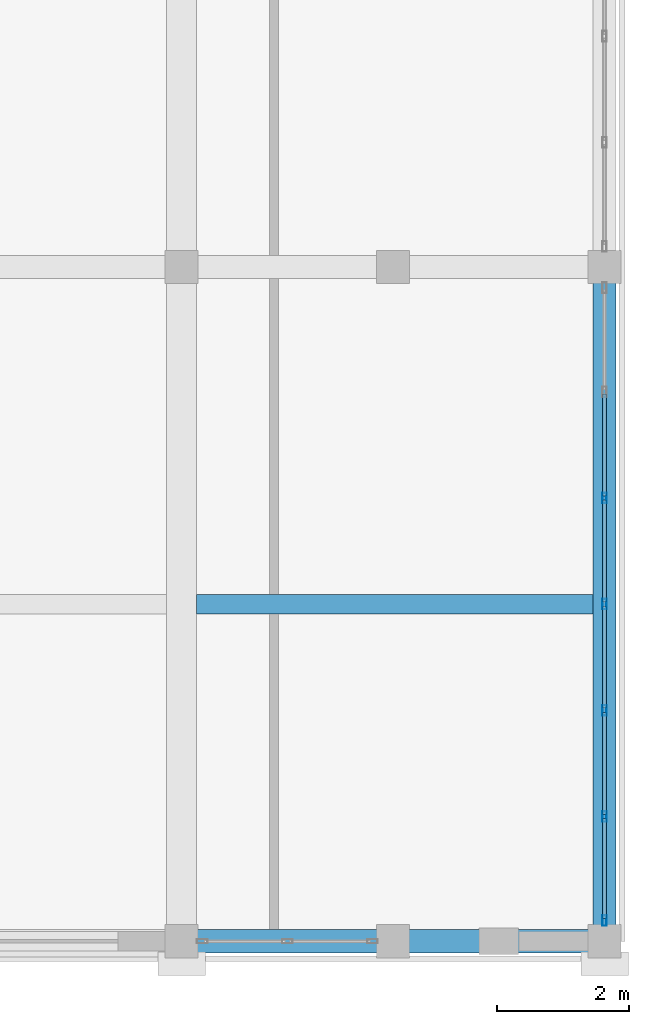
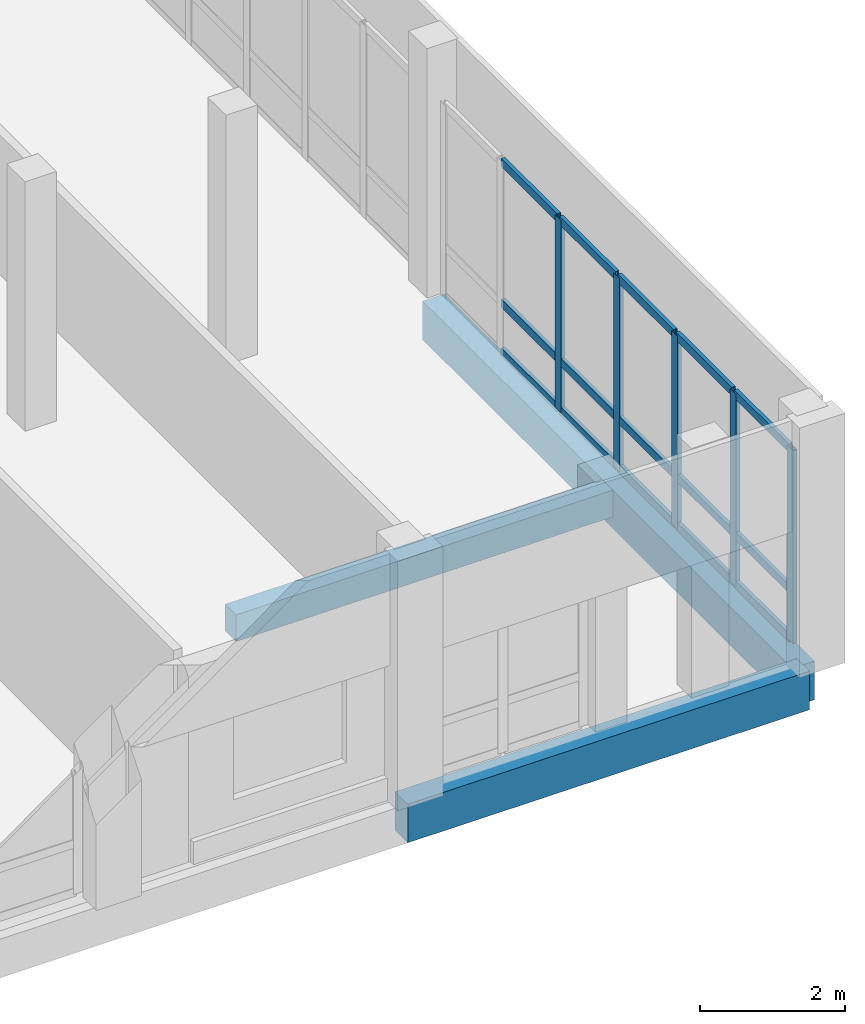
# One storey, part 8 of 29: 20 members, 3 beams, 1 element without a shape of its own.
"""IFC4 building model written with IfcOpenShell, lengths in metres."""

from ifc_helpers import new_model, si_unit, direction, frame, origin, origin_2d, place, context, subcontext, project, spatial, rectangle, hollow_rectangle, extrude, material, material_profile, profile_set, type_object, element, aggregate, save


model = new_model("IFC4")

# Units and contexts
model_context = context("Model", 3, precision=1e-05, world=origin(), true_north=direction((0.0, 1.0)))
body_context = subcontext(model_context, "Body", "Model", "MODEL_VIEW")
ifc_project = project(units=[si_unit("LENGTHUNIT", "METRE"), si_unit("AREAUNIT", "SQUARE_METRE"), si_unit("VOLUMEUNIT", "CUBIC_METRE"), si_unit("PLANEANGLEUNIT", "RADIAN"), si_unit("MASSUNIT", "GRAM", prefix="KILO")], contexts=[model_context])

# Site, building, storey
site_placement = place(None, origin())
site = spatial("IfcSite", under=ifc_project, at=site_placement, CompositionType="ELEMENT")
building_placement = place(site_placement, origin())
building = spatial("IfcBuilding", under=site, at=building_placement, Name="Vondelvale Polytechnic", CompositionType="ELEMENT")
storey_placement = place(building_placement, frame((0.0, 0.0, 26.39990234375)))
storey = spatial("IfcBuildingStorey", under=building, at=storey_placement, Name="L06", CompositionType="ELEMENT", Elevation=26.39990234375)

# Curtain wall, members
ifc_material_1 = material(Name="Anodised extruded aluminium 6063-T6", Category="aluminium")
curtain_wall_type = type_object("IfcCurtainWallType", Name="CW-STUDIO-NORTH", PredefinedType="NOTDEFINED", material=ifc_material_1)
curtain_wall_placement = place(storey_placement, origin())
curtain_wall = element("IfcCurtainWall", 1, at=curtain_wall_placement, inside=storey, type_object=curtain_wall_type, Name="L06 architectural curtain wall CW-01-048", PredefinedType="NOTDEFINED")
ifc_material_profile_1 = material_profile(ifc_material_1, hollow_rectangle(XDim=0.06494140625, YDim=0.159912109375, WallThickness=0.0048828125, at=origin_2d()), Name="CW-MUL-160x65")
ifc_profile_set_1 = profile_set([ifc_material_profile_1], Name="Anodised extruded aluminium 6063-T6")
member_type_1 = type_object("IfcMemberType", Name="CW-MUL-65x160", PredefinedType="MULLION", material=ifc_profile_set_1)
member_1_placement = place(storey_placement, frame((44.800048828125, 0.3125, 0.0), z_axis=(0.0, 0.0, 1.0), x_axis=(-1.0, 0.0, 0.0)))
member_1 = element("IfcMember", 2, at=member_1_placement, type_object=member_type_1, Name="CW-01-048 mullion 1", PredefinedType="MULLION", context=body_context, shape_type="SweptSolid", body=[
    extrude(hollow_rectangle(XDim=0.06494140625, YDim=0.159912109375, WallThickness=0.0048828125, at=origin_2d()), origin(), (0.0, 0.0, 1.0), 3.25),
])
member_2_placement = place(storey_placement, frame((44.800048828125, 1.88671875, 0.0), z_axis=(0.0, 0.0, 1.0), x_axis=(-1.0, 0.0, 0.0)))
member_2 = element("IfcMember", 3, at=member_2_placement, type_object=member_type_1, Name="CW-01-048 mullion 2", PredefinedType="MULLION", context=body_context, shape_type="SweptSolid", body=[
    extrude(hollow_rectangle(XDim=0.06494140625, YDim=0.159912109375, WallThickness=0.0048828125, at=origin_2d()), origin(), (0.0, 0.0, 1.0), 3.25),
])
member_3_placement = place(storey_placement, frame((44.800048828125, 3.493408203125, 0.0), z_axis=(0.0, 0.0, 1.0), x_axis=(-1.0, 0.0, 0.0)))
member_3 = element("IfcMember", 4, at=member_3_placement, type_object=member_type_1, Name="CW-01-048 mullion 3", PredefinedType="MULLION", context=body_context, shape_type="SweptSolid", body=[
    extrude(hollow_rectangle(XDim=0.06494140625, YDim=0.159912109375, WallThickness=0.0048828125, at=origin_2d()), origin(), (0.0, 0.0, 1.0), 3.25),
])
member_4_placement = place(storey_placement, frame((44.800048828125, 5.10009765625, 0.0), z_axis=(0.0, 0.0, 1.0), x_axis=(-1.0, 0.0, 0.0)))
member_4 = element("IfcMember", 5, at=member_4_placement, type_object=member_type_1, Name="CW-01-048 mullion 4", PredefinedType="MULLION", context=body_context, shape_type="SweptSolid", body=[
    extrude(hollow_rectangle(XDim=0.06494140625, YDim=0.159912109375, WallThickness=0.0048828125, at=origin_2d()), origin(), (0.0, 0.0, 1.0), 3.25),
])
member_5_placement = place(storey_placement, frame((44.800048828125, 6.706787109375, 0.0), z_axis=(0.0, 0.0, 1.0), x_axis=(-1.0, 0.0, 0.0)))
member_5 = element("IfcMember", 6, at=member_5_placement, type_object=member_type_1, Name="CW-01-048 mullion 5", PredefinedType="MULLION", context=body_context, shape_type="SweptSolid", body=[
    extrude(hollow_rectangle(XDim=0.06494140625, YDim=0.159912109375, WallThickness=0.0048828125, at=origin_2d()), origin(), (0.0, 0.0, 1.0), 3.25),
])
ifc_material_profile_2 = material_profile(ifc_material_1, hollow_rectangle(XDim=0.06005859375, YDim=0.139892578125, WallThickness=0.00341796875, at=origin_2d()), Name="CW-TRN-140x60")
ifc_profile_set_2 = profile_set([ifc_material_profile_2], Name="Anodised extruded aluminium 6063-T6")
member_type_2 = type_object("IfcMemberType", Name="CW-TRN-60x140", PredefinedType="USERDEFINED", material=ifc_profile_set_2)
member_6_placement = place(storey_placement, frame((44.800048828125, 0.344970703125, 0.030029296875), z_axis=(0.0, 1.0, 0.0), x_axis=(-1.0, 0.0, 0.0)))
member_6 = element("IfcMember", 7, at=member_6_placement, type_object=member_type_2, Name="CW-01-048 transom 1.1", ObjectType="TRANSOM", PredefinedType="USERDEFINED", context=body_context, shape_type="SweptSolid", body=[
    extrude(hollow_rectangle(XDim=0.06005859375, YDim=0.139892578125, WallThickness=0.00341796875, at=origin_2d()), origin(), (0.0, 0.0, 1.0), 1.50927734375),
])
member_7_placement = place(storey_placement, frame((44.800048828125, 0.344970703125, 0.85009765625), z_axis=(0.0, 1.0, 0.0), x_axis=(-1.0, 0.0, 0.0)))
member_7 = element("IfcMember", 8, at=member_7_placement, type_object=member_type_2, Name="CW-01-048 transom 1.2", ObjectType="TRANSOM", PredefinedType="USERDEFINED", context=body_context, shape_type="SweptSolid", body=[
    extrude(hollow_rectangle(XDim=0.06005859375, YDim=0.139892578125, WallThickness=0.00341796875, at=origin_2d()), origin(), (0.0, 0.0, 1.0), 1.50927734375),
])
member_8_placement = place(storey_placement, frame((44.800048828125, 0.344970703125, 3.22021484375), z_axis=(0.0, 1.0, 0.0), x_axis=(-1.0, 0.0, 0.0)))
member_8 = element("IfcMember", 9, at=member_8_placement, type_object=member_type_2, Name="CW-01-048 transom 1.3", ObjectType="TRANSOM", PredefinedType="USERDEFINED", context=body_context, shape_type="SweptSolid", body=[
    extrude(hollow_rectangle(XDim=0.06005859375, YDim=0.139892578125, WallThickness=0.00341796875, at=origin_2d()), origin(), (0.0, 0.0, 1.0), 1.50927734375),
])
member_9_placement = place(storey_placement, frame((44.800048828125, 1.919189453125, 0.030029296875), z_axis=(0.0, 1.0, 0.0), x_axis=(-1.0, 0.0, 0.0)))
member_9 = element("IfcMember", 10, at=member_9_placement, type_object=member_type_2, Name="CW-01-048 transom 2.1", ObjectType="TRANSOM", PredefinedType="USERDEFINED", context=body_context, shape_type="SweptSolid", body=[
    extrude(hollow_rectangle(XDim=0.06005859375, YDim=0.139892578125, WallThickness=0.00341796875, at=origin_2d()), origin(), (0.0, 0.0, 1.0), 1.541748046875),
])
member_10_placement = place(storey_placement, frame((44.800048828125, 1.919189453125, 0.85009765625), z_axis=(0.0, 1.0, 0.0), x_axis=(-1.0, 0.0, 0.0)))
member_10 = element("IfcMember", 11, at=member_10_placement, type_object=member_type_2, Name="CW-01-048 transom 2.2", ObjectType="TRANSOM", PredefinedType="USERDEFINED", context=body_context, shape_type="SweptSolid", body=[
    extrude(hollow_rectangle(XDim=0.06005859375, YDim=0.139892578125, WallThickness=0.00341796875, at=origin_2d()), origin(), (0.0, 0.0, 1.0), 1.541748046875),
])
member_11_placement = place(storey_placement, frame((44.800048828125, 1.919189453125, 3.22021484375), z_axis=(0.0, 1.0, 0.0), x_axis=(-1.0, 0.0, 0.0)))
member_11 = element("IfcMember", 12, at=member_11_placement, type_object=member_type_2, Name="CW-01-048 transom 2.3", ObjectType="TRANSOM", PredefinedType="USERDEFINED", context=body_context, shape_type="SweptSolid", body=[
    extrude(hollow_rectangle(XDim=0.06005859375, YDim=0.139892578125, WallThickness=0.00341796875, at=origin_2d()), origin(), (0.0, 0.0, 1.0), 1.541748046875),
])
member_12_placement = place(storey_placement, frame((44.800048828125, 3.52587890625, 0.030029296875), z_axis=(0.0, 1.0, 0.0), x_axis=(-1.0, 0.0, 0.0)))
member_12 = element("IfcMember", 13, at=member_12_placement, type_object=member_type_2, Name="CW-01-048 transom 3.1", ObjectType="TRANSOM", PredefinedType="USERDEFINED", context=body_context, shape_type="SweptSolid", body=[
    extrude(hollow_rectangle(XDim=0.06005859375, YDim=0.139892578125, WallThickness=0.00341796875, at=origin_2d()), origin(), (0.0, 0.0, 1.0), 1.54150390625),
])
member_13_placement = place(storey_placement, frame((44.800048828125, 3.52587890625, 0.85009765625), z_axis=(0.0, 1.0, 0.0), x_axis=(-1.0, 0.0, 0.0)))
member_13 = element("IfcMember", 14, at=member_13_placement, type_object=member_type_2, Name="CW-01-048 transom 3.2", ObjectType="TRANSOM", PredefinedType="USERDEFINED", context=body_context, shape_type="SweptSolid", body=[
    extrude(hollow_rectangle(XDim=0.06005859375, YDim=0.139892578125, WallThickness=0.00341796875, at=origin_2d()), origin(), (0.0, 0.0, 1.0), 1.54150390625),
])
member_14_placement = place(storey_placement, frame((44.800048828125, 3.52587890625, 3.22021484375), z_axis=(0.0, 1.0, 0.0), x_axis=(-1.0, 0.0, 0.0)))
member_14 = element("IfcMember", 15, at=member_14_placement, type_object=member_type_2, Name="CW-01-048 transom 3.3", ObjectType="TRANSOM", PredefinedType="USERDEFINED", context=body_context, shape_type="SweptSolid", body=[
    extrude(hollow_rectangle(XDim=0.06005859375, YDim=0.139892578125, WallThickness=0.00341796875, at=origin_2d()), origin(), (0.0, 0.0, 1.0), 1.54150390625),
])
member_15_placement = place(storey_placement, frame((44.800048828125, 5.132568359375, 0.030029296875), z_axis=(0.0, 1.0, 0.0), x_axis=(-1.0, 0.0, 0.0)))
member_15 = element("IfcMember", 16, at=member_15_placement, type_object=member_type_2, Name="CW-01-048 transom 4.1", ObjectType="TRANSOM", PredefinedType="USERDEFINED", context=body_context, shape_type="SweptSolid", body=[
    extrude(hollow_rectangle(XDim=0.06005859375, YDim=0.139892578125, WallThickness=0.00341796875, at=origin_2d()), origin(), (0.0, 0.0, 1.0), 1.54150390625),
])
member_16_placement = place(storey_placement, frame((44.800048828125, 5.132568359375, 0.85009765625), z_axis=(0.0, 1.0, 0.0), x_axis=(-1.0, 0.0, 0.0)))
member_16 = element("IfcMember", 17, at=member_16_placement, type_object=member_type_2, Name="CW-01-048 transom 4.2", ObjectType="TRANSOM", PredefinedType="USERDEFINED", context=body_context, shape_type="SweptSolid", body=[
    extrude(hollow_rectangle(XDim=0.06005859375, YDim=0.139892578125, WallThickness=0.00341796875, at=origin_2d()), origin(), (0.0, 0.0, 1.0), 1.54150390625),
])
member_17_placement = place(storey_placement, frame((44.800048828125, 5.132568359375, 3.22021484375), z_axis=(0.0, 1.0, 0.0), x_axis=(-1.0, 0.0, 0.0)))
member_17 = element("IfcMember", 18, at=member_17_placement, type_object=member_type_2, Name="CW-01-048 transom 4.3", ObjectType="TRANSOM", PredefinedType="USERDEFINED", context=body_context, shape_type="SweptSolid", body=[
    extrude(hollow_rectangle(XDim=0.06005859375, YDim=0.139892578125, WallThickness=0.00341796875, at=origin_2d()), origin(), (0.0, 0.0, 1.0), 1.54150390625),
])
member_18_placement = place(storey_placement, frame((44.800048828125, 6.7392578125, 0.030029296875), z_axis=(0.0, 1.0, 0.0), x_axis=(-1.0, 0.0, 0.0)))
member_18 = element("IfcMember", 19, at=member_18_placement, type_object=member_type_2, Name="CW-01-048 transom 5.1", ObjectType="TRANSOM", PredefinedType="USERDEFINED", context=body_context, shape_type="SweptSolid", body=[
    extrude(hollow_rectangle(XDim=0.06005859375, YDim=0.139892578125, WallThickness=0.00341796875, at=origin_2d()), origin(), (0.0, 0.0, 1.0), 1.54150390625),
])
member_19_placement = place(storey_placement, frame((44.800048828125, 6.7392578125, 0.85009765625), z_axis=(0.0, 1.0, 0.0), x_axis=(-1.0, 0.0, 0.0)))
member_19 = element("IfcMember", 20, at=member_19_placement, type_object=member_type_2, Name="CW-01-048 transom 5.2", ObjectType="TRANSOM", PredefinedType="USERDEFINED", context=body_context, shape_type="SweptSolid", body=[
    extrude(hollow_rectangle(XDim=0.06005859375, YDim=0.139892578125, WallThickness=0.00341796875, at=origin_2d()), origin(), (0.0, 0.0, 1.0), 1.54150390625),
])
member_20_placement = place(storey_placement, frame((44.800048828125, 6.7392578125, 3.22021484375), z_axis=(0.0, 1.0, 0.0), x_axis=(-1.0, 0.0, 0.0)))
member_20 = element("IfcMember", 21, at=member_20_placement, type_object=member_type_2, Name="CW-01-048 transom 5.3", ObjectType="TRANSOM", PredefinedType="USERDEFINED", context=body_context, shape_type="SweptSolid", body=[
    extrude(hollow_rectangle(XDim=0.06005859375, YDim=0.139892578125, WallThickness=0.00341796875, at=origin_2d()), origin(), (0.0, 0.0, 1.0), 1.54150390625),
])
aggregate(curtain_wall, [member_1, member_2, member_3, member_4, member_5, member_6, member_7, member_8, member_9, member_10, member_11, member_12, member_13, member_14, member_15, member_16, member_17, member_18, member_19, member_20])

# Beams
ifc_material_2 = material(Name="Concrete N40 (f'c = 40 MPa)", Category="concrete")
ifc_material_profile_3 = material_profile(ifc_material_2, rectangle(XDim=0.300048828125, YDim=0.449951171875, at=origin_2d()), Name="RC-JST-300x450")
ifc_profile_set_3 = profile_set([ifc_material_profile_3], Name="Concrete N40 (f'c = 40 MPa)")
beam_type_1 = type_object("IfcBeamType", Name="JST-RC300x450", PredefinedType="JOIST", material=ifc_profile_set_3)
beam_1_placement = place(storey_placement, frame((38.625, 5.10009765625, -0.449951171875), z_axis=(1.0, 0.0, 0.0), x_axis=(0.0, 1.0, 0.0)))
element("IfcBeam", 22, at=beam_1_placement, inside=storey, type_object=beam_type_1, Name="L06 J J-03", PredefinedType="JOIST", context=body_context, shape_type="SweptSolid", body=[
    extrude(rectangle(XDim=0.300048828125, YDim=0.449951171875, at=origin_2d()), origin(), (0.0, 0.0, 1.0), 6.0),
])
ifc_material_3 = material(Name="Precast concrete N40 (f'c = 40 MPa)", Category="concrete")
ifc_material_profile_4 = material_profile(ifc_material_3, rectangle(XDim=0.35009765625, YDim=0.64990234375, at=origin_2d()), Name="RC-SPN-350x650")
ifc_profile_set_4 = profile_set([ifc_material_profile_4], Name="Precast concrete N40 (f'c = 40 MPa)")
beam_type_2 = type_object("IfcBeamType", Name="SPN-PRE350x650", PredefinedType="SPANDREL", material=ifc_profile_set_4)
beam_2_placement = place(storey_placement, frame((38.39990234375, 0.0, -0.5498046875), z_axis=(1.0, 0.0, 0.0), x_axis=(0.0, 1.0, 0.0)))
element("IfcBeam", 23, at=beam_2_placement, inside=storey, type_object=beam_type_2, Name="L06 B SP-02", PredefinedType="SPANDREL", context=body_context, shape_type="SweptSolid", body=[
    extrude(rectangle(XDim=0.35009765625, YDim=0.64990234375, at=origin_2d()), origin(), (0.0, 0.0, 1.0), 6.400146484375),
])
beam_3_placement = place(storey_placement, frame((44.800048828125, 0.0, -0.5498046875), z_axis=(0.0, 1.0, 0.0), x_axis=(-1.0, 0.0, 0.0)))
element("IfcBeam", 24, at=beam_3_placement, inside=storey, type_object=beam_type_2, Name="L06 B SP-02", PredefinedType="SPANDREL", context=body_context, shape_type="SweptSolid", body=[
    extrude(rectangle(XDim=0.35009765625, YDim=0.64990234375, at=origin_2d()), origin(), (0.0, 0.0, 1.0), 10.199951171875),
])

save(model, "model.ifc")
